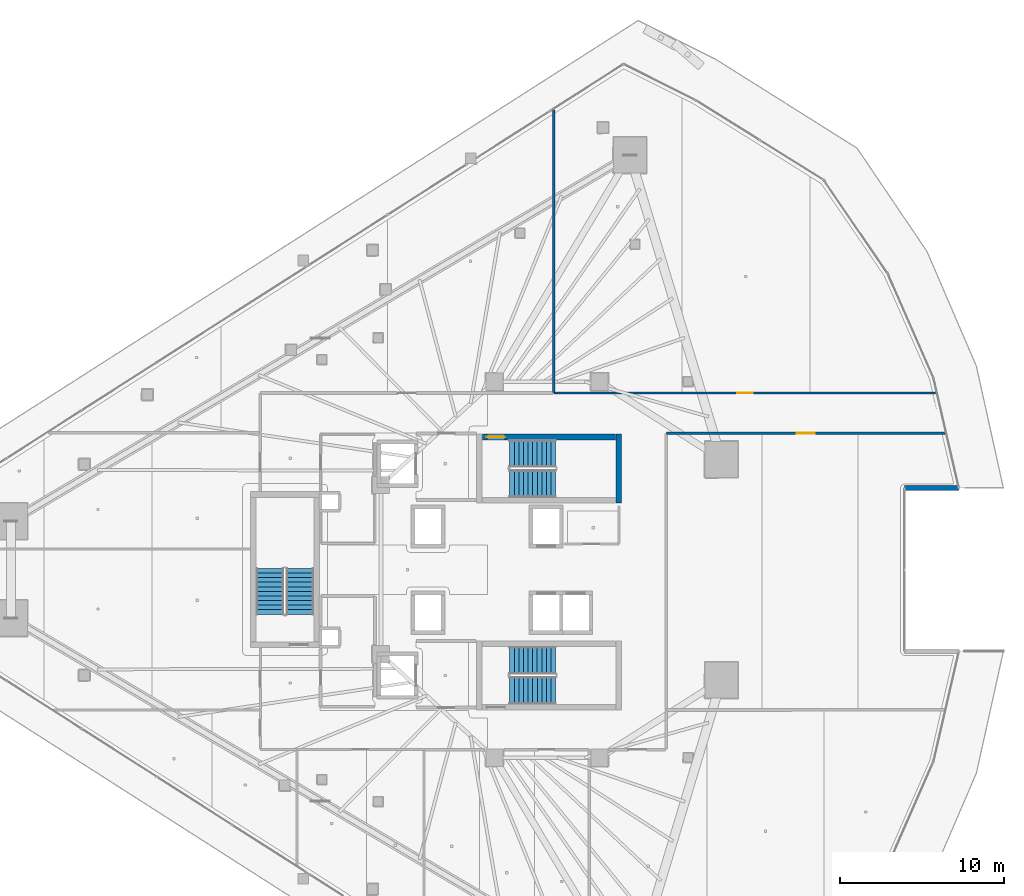
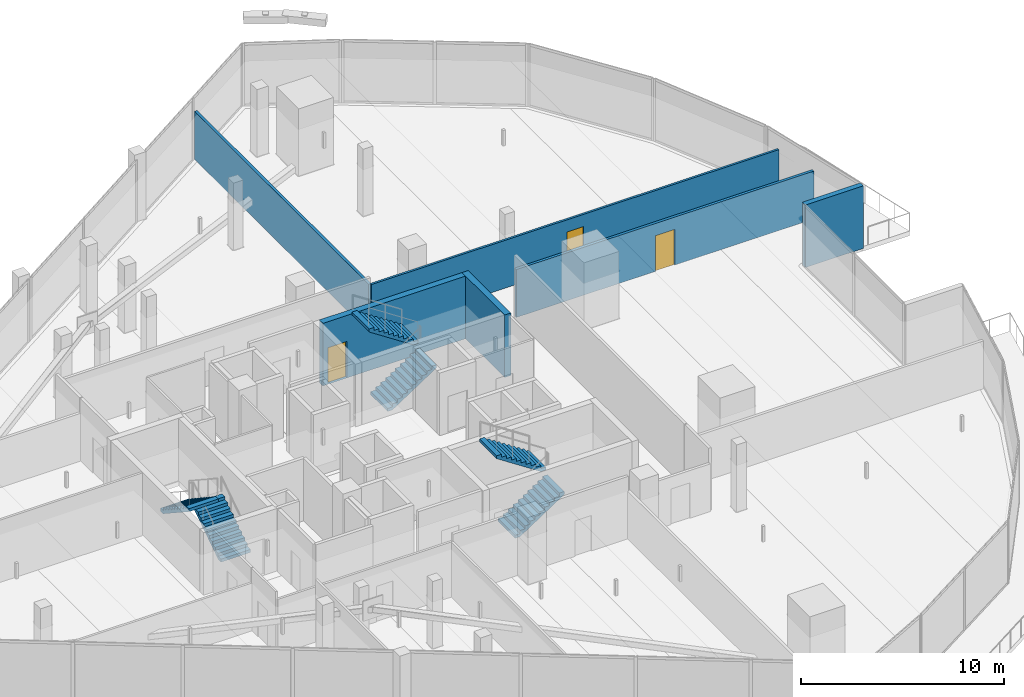
# One storey, part 32 of 45: 6 stair flights, 6 walls, 3 doors, 3 openings, 3 elements without a shape of their own.
"""IFC4 building model written with IfcOpenShell, lengths in metres."""

from ifc_helpers import new_model, si_unit, direction, frame, frame_2d, origin, place, context, subcontext, project, spatial, polyline, rectangle, outline, extrude, material, layer, layer_set, type_object, element, fill, aggregate, save


model = new_model("IFC4")

# Units and contexts
model_context = context("Model", 3, precision=1e-05, world=origin(), true_north=direction((0.0, 1.0)))
body_context = subcontext(model_context, "Body", "Model", "MODEL_VIEW")
ifc_project = project(units=[si_unit("LENGTHUNIT", "METRE"), si_unit("AREAUNIT", "SQUARE_METRE"), si_unit("VOLUMEUNIT", "CUBIC_METRE"), si_unit("PLANEANGLEUNIT", "RADIAN"), si_unit("MASSUNIT", "GRAM", prefix="KILO")], contexts=[model_context])

# Site, building, storey
site_placement = place(None, origin())
site = spatial("IfcSite", under=ifc_project, at=site_placement, CompositionType="ELEMENT")
building_placement = place(site_placement, origin())
building = spatial("IfcBuilding", under=site, at=building_placement, Name="Qorvath Tower", CompositionType="ELEMENT")
storey_placement = place(building_placement, frame((0.0, 0.0, 126.0)))
storey = spatial("IfcBuildingStorey", under=building, at=storey_placement, Name="L28", CompositionType="ELEMENT", Elevation=126.0)

# Wall
ifc_material_1 = material(Name="Double acoustic gypsum board on steel studs", Category="steel")
ifc_layer_1 = layer(ifc_material_1, 0.159912109375)
ifc_layer_set_1 = layer_set([ifc_layer_1], Name="IW-ACOUSTIC-160")
wall_type_1 = type_object("IfcWallType", Name="IW-ACOUSTIC-160", PredefinedType="PARTITIONING", material=ifc_layer_set_1)
wall_1_placement = place(storey_placement, frame((-19.99267578125, 10.783203125, 0.0), z_axis=(0.0, 0.0, 1.0), x_axis=(0.0, 1.0, 0.0)))
element("IfcWall", 1, at=wall_1_placement, inside=storey, type_object=wall_type_1, Name="Interior Partition IW-T1-L28-022", PredefinedType="PARTITIONING", context=body_context, shape_type="SweptSolid", body=[
    extrude(rectangle(XDim=17.206298828125, YDim=0.159912109375, at=frame_2d((8.60302734375, 0.0))), origin(), (0.0, 0.0, 1.0), 2.885009765625),
])

# Wall, opening, door
wall_2_placement = place(storey_placement, frame((3.845703125, 8.31201171875, 0.0), z_axis=(0.0, 0.0, 1.0), x_axis=(-1.0, 0.0, 0.0)))
wall_2 = element("IfcWall", 2, at=wall_2_placement, inside=storey, type_object=wall_type_1, Name="Interior Partition IW-T1-L28-036", PredefinedType="PARTITIONING", context=body_context, shape_type="SweptSolid", body=[
    extrude(rectangle(XDim=16.962890625, YDim=0.159912109375, at=frame_2d((8.4814453125, 0.0))), origin(), (0.0, 0.0, 1.0), 2.885009765625),
])
opening_1_placement = place(wall_2_placement, frame((7.931396484375, 0.0, 0.0)))
opening_1 = element("IfcOpeningElement", 3, at=opening_1_placement, cuts=wall_2, Name="Opening D-T1-L28-10", PredefinedType="OPENING", context=body_context, shape_type="SweptSolid", body=[
    extrude(rectangle(XDim=1.10009765625, YDim=2.14990234375, at=frame_2d((0.550048828125, 1.074951171875))), frame((0.0, 0.08984375, 0.0), z_axis=(0.0, -1.0, 0.0), x_axis=(1.0, 0.0, 0.0)), (0.0, 0.0, 1.0), 0.179931640625),
])
ifc_material_2 = material(Name="Anodised aluminium acoustic framed glass", Category="aluminium")
door_type_1 = type_object("IfcDoorType", Name="D-03", OperationType="NOTDEFINED", PredefinedType="DOOR", material=ifc_material_2)
door_1_placement = place(opening_1_placement, origin())
door_1 = element("IfcDoor", 4, at=door_1_placement, inside=storey, type_object=door_type_1, Name="L28-07 Team Project Office Door D-T1-L28-10", OperationType="SINGLE_SWING_RIGHT", OverallHeight=2.14990234375, OverallWidth=1.10009765625, PredefinedType="DOOR", context=body_context, shape_type="SweptSolid", body=[
    extrude(rectangle(XDim=1.10009765625, YDim=2.14990234375, at=frame_2d((0.550048828125, 1.074951171875))), frame((0.0, 0.02490234375, 0.0), z_axis=(0.0, -1.0, 0.0), x_axis=(1.0, 0.0, 0.0)), (0.0, 0.0, 1.0), 0.050048828125),
])
fill(opening_1, door_1)

ifc_material_3 = material(Name="Gypsum board on metal studs with mineral wool", Category="gypsum")
ifc_layer_2 = layer(ifc_material_3, 0.125)
ifc_layer_set_2 = layer_set([ifc_layer_2], Name="IW-PART-125")
wall_type_2 = type_object("IfcWallType", Name="IW-PART-125", PredefinedType="PARTITIONING", material=ifc_layer_set_2)
wall_3_placement = place(storey_placement, frame((-19.959716796875, 10.758056640625, 0.0), z_axis=(0.0, 0.0, 1.0), x_axis=(1.0, 0.0, 0.0)))
wall_3 = element("IfcWall", 5, at=wall_3_placement, inside=storey, type_object=wall_type_2, Name="Interior Partition IW-T1-L28-023", PredefinedType="PARTITIONING", context=body_context, shape_type="SweptSolid", body=[
    extrude(rectangle(XDim=23.239990234375, YDim=0.125, at=frame_2d((11.6201171875, 0.0))), origin(), (0.0, 0.0, 1.0), 2.885009765625),
])
opening_2_placement = place(wall_3_placement, frame((11.14501953125, 0.0, 0.0)))
opening_2 = element("IfcOpeningElement", 6, at=opening_2_placement, cuts=wall_3, Name="Opening D-T1-L28-05", PredefinedType="OPENING", context=body_context, shape_type="SweptSolid", body=[
    extrude(rectangle(XDim=0.949951171875, YDim=2.14990234375, at=frame_2d((0.47509765625, 1.074951171875))), frame((0.0, 0.072509765625, 0.0), z_axis=(0.0, -1.0, 0.0), x_axis=(1.0, 0.0, 0.0)), (0.0, 0.0, 1.0), 0.14501953125),
])
ifc_material_4 = material(Name="Solid-core American white oak veneer", Category="wood")
door_type_2 = type_object("IfcDoorType", Name="D-01", OperationType="NOTDEFINED", PredefinedType="DOOR", material=ifc_material_4)
door_2_placement = place(opening_2_placement, origin())
door_2 = element("IfcDoor", 7, at=door_2_placement, inside=storey, type_object=door_type_2, Name="L28-02 Project Collaboration Workspace Door D-T1-L28-05", OperationType="SINGLE_SWING_LEFT", OverallHeight=2.14990234375, OverallWidth=0.949951171875, PredefinedType="DOOR", context=body_context, shape_type="SweptSolid", body=[
    extrude(rectangle(XDim=0.949951171875, YDim=2.14990234375, at=frame_2d((0.47509765625, 1.074951171875))), frame((0.0, 0.02490234375, 0.0), z_axis=(0.0, -1.0, 0.0), x_axis=(1.0, 0.0, 0.0)), (0.0, 0.0, 1.0), 0.050048828125),
])
fill(opening_2, door_2)

# Wall
ifc_material_5 = material(Name="Concrete C60/75", Category="concrete")
ifc_layer_3 = layer(ifc_material_5, 0.35009765625)
ifc_layer_set_3 = layer_set([ifc_layer_3], Name="SW-STAIR")
wall_type_3 = type_object("IfcWallType", Name="SW-STAIR", PredefinedType="SHEAR", material=ifc_layer_set_3)
wall_4_placement = place(storey_placement, frame((-16.02490234375, 4.050048828125, 0.0), z_axis=(0.0, 0.0, 1.0), x_axis=(0.0, 1.0, 0.0)))
element("IfcWall", 8, at=wall_4_placement, inside=storey, type_object=wall_type_3, Name="Stair TS1 Shear Wall L28 FAR", PredefinedType="SHEAR", context=body_context, shape_type="SweptSolid", body=[
    extrude(rectangle(XDim=4.2099609375, YDim=0.35009765625, at=frame_2d((2.10498046875, 0.0))), origin(), (0.0, 0.0, 1.0), 3.77001953125),
])

# Wall, opening, door
wall_5_placement = place(storey_placement, frame((-16.215087890625, 8.0849609375, 0.0), z_axis=(0.0, 0.0, 1.0), x_axis=(-1.0, 0.0, 0.0)))
wall_5 = element("IfcWall", 9, at=wall_5_placement, inside=storey, type_object=wall_type_3, Name="Stair TS1 Shear Wall L28 RIGHT", PredefinedType="SHEAR", context=body_context, shape_type="SweptSolid", body=[
    extrude(rectangle(XDim=8.119873046875, YDim=0.35009765625, at=frame_2d((4.06005859375, 0.0))), origin(), (0.0, 0.0, 1.0), 3.77001953125),
])
opening_3_placement = place(wall_5_placement, frame((6.739990234375, 0.0, 0.0)))
opening_3 = element("IfcOpeningElement", 10, at=opening_3_placement, cuts=wall_5, Name="Opening D-TS1-L28", PredefinedType="OPENING", context=body_context, shape_type="SweptSolid", body=[
    extrude(rectangle(XDim=1.10009765625, YDim=2.199951171875, at=frame_2d((0.550048828125, 1.10009765625))), frame((0.0, 0.18505859375, 0.0), z_axis=(0.0, -1.0, 0.0), x_axis=(1.0, 0.0, 0.0)), (0.0, 0.0, 1.0), 0.3701171875),
])
ifc_material_6 = material(Name="Painted galvanised hollow metal", Category="steel")
door_type_3 = type_object("IfcDoorType", Name="FD-90", OperationType="NOTDEFINED", PredefinedType="DOOR", material=ifc_material_6)
door_3_placement = place(opening_3_placement, origin())
door_3 = element("IfcDoor", 11, at=door_3_placement, inside=storey, type_object=door_type_3, Name="Stair TS1 Fire Door L28", OperationType="SINGLE_SWING_LEFT", OverallHeight=2.199951171875, OverallWidth=1.10009765625, PredefinedType="DOOR", context=body_context, shape_type="SweptSolid", body=[
    extrude(rectangle(XDim=1.10009765625, YDim=2.199951171875, at=frame_2d((0.550048828125, 1.10009765625))), frame((0.0, 0.02490234375, 0.0), z_axis=(0.0, -1.0, 0.0), x_axis=(1.0, 0.0, 0.0)), (0.0, 0.0, 1.0), 0.050048828125),
])
fill(opening_3, door_3)

# Wall
ifc_material_7 = material(Name="Precast concrete C45/55", Category="concrete")
ifc_layer_4 = layer(ifc_material_7, 0.300048828125)
ifc_layer_set_4 = layer_set([ifc_layer_4], Name="WL-EW-LOG-300")
wall_type_4 = type_object("IfcWallType", Name="WL-EW-LOG-300", PredefinedType="SOLIDWALL", material=ifc_layer_set_4)
wall_6_placement = place(storey_placement, frame((1.386962890625, 4.968017578125, 0.0), z_axis=(0.0, 0.0, 1.0), x_axis=(1.0, 0.0, 0.0)))
element("IfcWall", 12, at=wall_6_placement, inside=storey, type_object=wall_type_4, Name="Tower Precast Loggia Wall L28-10.1", PredefinedType="SOLIDWALL", context=body_context, shape_type="SweptSolid", body=[
    extrude(rectangle(XDim=3.31201171875, YDim=0.300048828125, at=frame_2d((1.656005859375, 0.0))), origin(), (0.0, 0.0, 1.0), 3.77001953125),
])

# Stair, stair flights
ifc_material_8 = material(Name="Concrete C50/60", Category="concrete")
stair_type = type_object("IfcStairType", Name="ST-H405", PredefinedType="HALF_TURN_STAIR", material=ifc_material_8)
stair_1_placement = place(storey_placement, origin())
stair_1 = element("IfcStair", 13, at=stair_1_placement, inside=storey, type_object=stair_type, Name="L28 Tower Exit Stair 1", PredefinedType="HALF_TURN_STAIR")
ifc_material_9 = material(Name="Concrete C50/60", Category="concrete")
ifc_layer_5 = layer(ifc_material_9, 0.14990234375)
ifc_layer_set_5 = layer_set([ifc_layer_5], Name="SF-H405")
stair_flight_type = type_object("IfcStairFlightType", Name="SF-H405", PredefinedType="STRAIGHT", material=ifc_layer_set_5)
stair_flight_1_placement = place(storey_placement, frame((-22.669921875, 5.239990234375, 0.0), z_axis=(0.0, 0.0, 1.0), x_axis=(1.0, 0.0, 0.0)))
stair_flight_1 = element("IfcStairFlight", 14, at=stair_flight_1_placement, type_object=stair_flight_type, Name="TS1 flight 1", NumberOfRisers=11, NumberOfTreads=10, PredefinedType="STRAIGHT", RiserHeight=0.184090909, TreadLength=0.28, context=body_context, shape_type="SweptSolid", body=[
    extrude(outline(polyline([(0.0, 0.0), (0.0, 0.18408203125), (0.280029296875, 0.18408203125), (0.280029296875, 0.3681640625), (0.56005859375, 0.3681640625), (0.56005859375, 0.55224609375), (0.840087890625, 0.55224609375), (0.840087890625, 0.736328125), (1.1201171875, 0.736328125), (1.1201171875, 0.92041015625), (1.39990234375, 0.92041015625), (1.39990234375, 1.1044921875), (1.679931640625, 1.1044921875), (1.679931640625, 1.28857421875), (1.9599609375, 1.28857421875), (1.9599609375, 1.47265625), (2.239990234375, 1.47265625), (2.239990234375, 1.65673828125), (2.52001953125, 1.65673828125), (2.52001953125, 1.8408203125), (2.800048828125, 1.8408203125), (2.800048828125, 2.02490234375), (2.800048828125, 1.66162109375), (0.27294921875, 0.0), (0.0, 0.0)])), frame((0.0, 0.83984375, 0.0), z_axis=(0.0, -1.0, 0.0), x_axis=(1.0, 0.0, 0.0)), (0.0, 0.0, 1.0), 1.679931640625),
])
stair_flight_2_placement = place(storey_placement, frame((-19.8701171875, 7.070068359375, 2.02490234375), z_axis=(0.0, 0.0, 1.0), x_axis=(-1.0, 0.0, 0.0)))
stair_flight_2 = element("IfcStairFlight", 15, at=stair_flight_2_placement, type_object=stair_flight_type, Name="TS1 flight 2", NumberOfRisers=11, NumberOfTreads=10, PredefinedType="STRAIGHT", RiserHeight=0.184090909, TreadLength=0.28, context=body_context, shape_type="SweptSolid", body=[
    extrude(outline(polyline([(0.0, 0.0), (0.0, 0.18408203125), (0.280029296875, 0.18408203125), (0.280029296875, 0.3681640625), (0.56005859375, 0.3681640625), (0.56005859375, 0.55224609375), (0.840087890625, 0.55224609375), (0.840087890625, 0.736328125), (1.1201171875, 0.736328125), (1.1201171875, 0.92041015625), (1.39990234375, 0.92041015625), (1.39990234375, 1.1044921875), (1.679931640625, 1.1044921875), (1.679931640625, 1.28857421875), (1.9599609375, 1.28857421875), (1.9599609375, 1.47265625), (2.239990234375, 1.47265625), (2.239990234375, 1.65673828125), (2.52001953125, 1.65673828125), (2.52001953125, 1.8408203125), (2.800048828125, 1.8408203125), (2.800048828125, 2.02490234375), (2.800048828125, 1.66162109375), (0.27294921875, 0.0), (0.0, 0.0)])), frame((0.0, 0.83984375, 0.0), z_axis=(0.0, -1.0, 0.0), x_axis=(1.0, 0.0, 0.0)), (0.0, 0.0, 1.0), 1.679931640625),
])
aggregate(stair_1, [stair_flight_1, stair_flight_2])

stair_2_placement = place(storey_placement, origin())
stair_2 = element("IfcStair", 16, at=stair_2_placement, inside=storey, type_object=stair_type, Name="L28 Tower Exit Stair 2", PredefinedType="HALF_TURN_STAIR")
stair_flight_3_placement = place(storey_placement, frame((-22.669921875, -7.360107421875, 0.0), z_axis=(0.0, 0.0, 1.0), x_axis=(1.0, 0.0, 0.0)))
stair_flight_3 = element("IfcStairFlight", 17, at=stair_flight_3_placement, type_object=stair_flight_type, Name="TS2 flight 1", NumberOfRisers=11, NumberOfTreads=10, PredefinedType="STRAIGHT", RiserHeight=0.184090909, TreadLength=0.28, context=body_context, shape_type="SweptSolid", body=[
    extrude(outline(polyline([(0.0, 0.0), (0.0, 0.18408203125), (0.280029296875, 0.18408203125), (0.280029296875, 0.3681640625), (0.56005859375, 0.3681640625), (0.56005859375, 0.55224609375), (0.840087890625, 0.55224609375), (0.840087890625, 0.736328125), (1.1201171875, 0.736328125), (1.1201171875, 0.92041015625), (1.39990234375, 0.92041015625), (1.39990234375, 1.1044921875), (1.679931640625, 1.1044921875), (1.679931640625, 1.28857421875), (1.9599609375, 1.28857421875), (1.9599609375, 1.47265625), (2.239990234375, 1.47265625), (2.239990234375, 1.65673828125), (2.52001953125, 1.65673828125), (2.52001953125, 1.8408203125), (2.800048828125, 1.8408203125), (2.800048828125, 2.02490234375), (2.800048828125, 1.66162109375), (0.27294921875, 0.0), (0.0, 0.0)])), frame((0.0, 0.83984375, 0.0), z_axis=(0.0, -1.0, 0.0), x_axis=(1.0, 0.0, 0.0)), (0.0, 0.0, 1.0), 1.679931640625),
])
stair_flight_4_placement = place(storey_placement, frame((-19.8701171875, -5.530029296875, 2.02490234375), z_axis=(0.0, 0.0, 1.0), x_axis=(-1.0, 0.0, 0.0)))
stair_flight_4 = element("IfcStairFlight", 18, at=stair_flight_4_placement, type_object=stair_flight_type, Name="TS2 flight 2", NumberOfRisers=11, NumberOfTreads=10, PredefinedType="STRAIGHT", RiserHeight=0.184090909, TreadLength=0.28, context=body_context, shape_type="SweptSolid", body=[
    extrude(outline(polyline([(0.0, 0.0), (0.0, 0.18408203125), (0.280029296875, 0.18408203125), (0.280029296875, 0.3681640625), (0.56005859375, 0.3681640625), (0.56005859375, 0.55224609375), (0.840087890625, 0.55224609375), (0.840087890625, 0.736328125), (1.1201171875, 0.736328125), (1.1201171875, 0.92041015625), (1.39990234375, 0.92041015625), (1.39990234375, 1.1044921875), (1.679931640625, 1.1044921875), (1.679931640625, 1.28857421875), (1.9599609375, 1.28857421875), (1.9599609375, 1.47265625), (2.239990234375, 1.47265625), (2.239990234375, 1.65673828125), (2.52001953125, 1.65673828125), (2.52001953125, 1.8408203125), (2.800048828125, 1.8408203125), (2.800048828125, 2.02490234375), (2.800048828125, 1.66162109375), (0.27294921875, 0.0), (0.0, 0.0)])), frame((0.0, 0.83984375, 0.0), z_axis=(0.0, -1.0, 0.0), x_axis=(1.0, 0.0, 0.0)), (0.0, 0.0, 1.0), 1.679931640625),
])
aggregate(stair_2, [stair_flight_3, stair_flight_4])

stair_3_placement = place(storey_placement, origin())
stair_3 = element("IfcStair", 19, at=stair_3_placement, inside=storey, type_object=stair_type, Name="L28 Tower Exit Stair 3", PredefinedType="HALF_TURN_STAIR")
stair_flight_5_placement = place(storey_placement, frame((-35.43994140625, -2.719970703125, 0.0), z_axis=(0.0, 0.0, 1.0), x_axis=(0.0, 1.0, 0.0)))
stair_flight_5 = element("IfcStairFlight", 20, at=stair_flight_5_placement, type_object=stair_flight_type, Name="TS3 flight 1", NumberOfRisers=11, NumberOfTreads=10, PredefinedType="STRAIGHT", RiserHeight=0.184090909, TreadLength=0.28, context=body_context, shape_type="SweptSolid", body=[
    extrude(outline(polyline([(0.0, 0.0), (0.0, 0.18408203125), (0.280029296875, 0.18408203125), (0.280029296875, 0.3681640625), (0.56005859375, 0.3681640625), (0.56005859375, 0.55224609375), (0.840087890625, 0.55224609375), (0.840087890625, 0.736328125), (1.1201171875, 0.736328125), (1.1201171875, 0.92041015625), (1.39990234375, 0.92041015625), (1.39990234375, 1.1044921875), (1.679931640625, 1.1044921875), (1.679931640625, 1.28857421875), (1.9599609375, 1.28857421875), (1.9599609375, 1.47265625), (2.239990234375, 1.47265625), (2.239990234375, 1.65673828125), (2.52001953125, 1.65673828125), (2.52001953125, 1.8408203125), (2.800048828125, 1.8408203125), (2.800048828125, 2.02490234375), (2.800048828125, 1.66162109375), (0.27294921875, 0.0), (0.0, 0.0)])), frame((0.0, 0.83984375, 0.0), z_axis=(0.0, -1.0, 0.0), x_axis=(1.0, 0.0, 0.0)), (0.0, 0.0, 1.0), 1.679931640625),
])
stair_flight_6_placement = place(storey_placement, frame((-37.27001953125, 0.080078125, 2.02490234375), z_axis=(0.0, 0.0, 1.0), x_axis=(0.0, -1.0, 0.0)))
stair_flight_6 = element("IfcStairFlight", 21, at=stair_flight_6_placement, type_object=stair_flight_type, Name="TS3 flight 2", NumberOfRisers=11, NumberOfTreads=10, PredefinedType="STRAIGHT", RiserHeight=0.184090909, TreadLength=0.28, context=body_context, shape_type="SweptSolid", body=[
    extrude(outline(polyline([(0.0, 0.0), (0.0, 0.18408203125), (0.280029296875, 0.18408203125), (0.280029296875, 0.3681640625), (0.56005859375, 0.3681640625), (0.56005859375, 0.55224609375), (0.840087890625, 0.55224609375), (0.840087890625, 0.736328125), (1.1201171875, 0.736328125), (1.1201171875, 0.92041015625), (1.39990234375, 0.92041015625), (1.39990234375, 1.1044921875), (1.679931640625, 1.1044921875), (1.679931640625, 1.28857421875), (1.9599609375, 1.28857421875), (1.9599609375, 1.47265625), (2.239990234375, 1.47265625), (2.239990234375, 1.65673828125), (2.52001953125, 1.65673828125), (2.52001953125, 1.8408203125), (2.800048828125, 1.8408203125), (2.800048828125, 2.02490234375), (2.800048828125, 1.66162109375), (0.27294921875, 0.0), (0.0, 0.0)])), frame((0.0, 0.83984375, 0.0), z_axis=(0.0, -1.0, 0.0), x_axis=(1.0, 0.0, 0.0)), (0.0, 0.0, 1.0), 1.679931640625),
])
aggregate(stair_3, [stair_flight_5, stair_flight_6])

save(model, "model.ifc")
